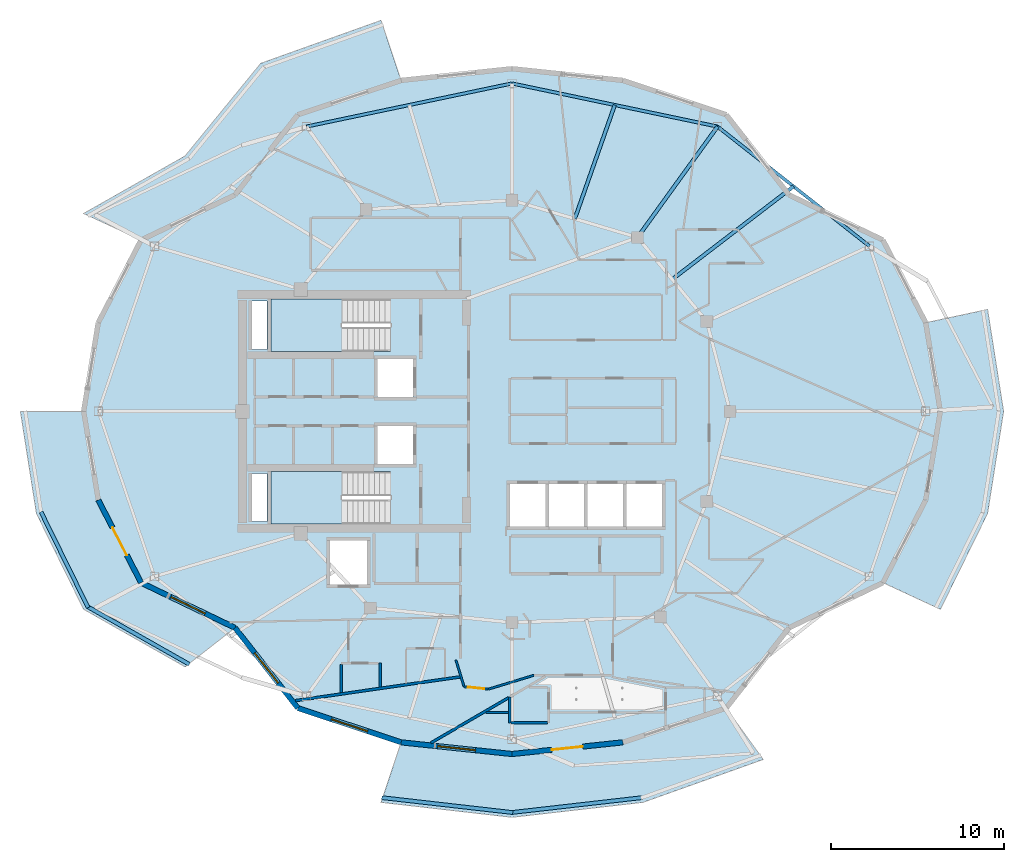
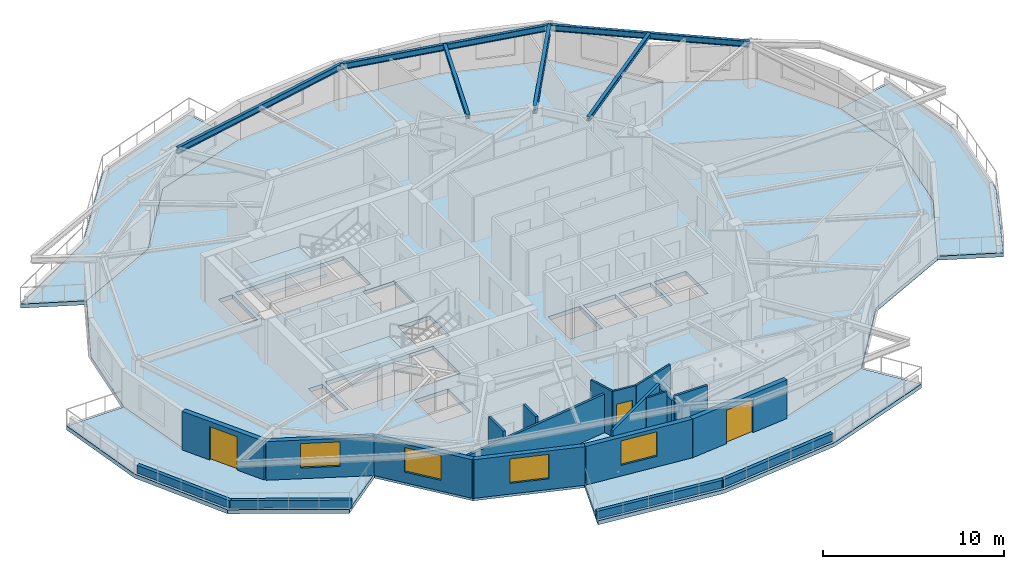
# One storey, part 2 of 18: 20 walls, 7 slabs, 6 beams, 4 windows, 3 doors, 7 openings, 2 elements without a shape of their own.
"""IFC4 building model written with IfcOpenShell, lengths in metres."""

from ifc_helpers import new_model, si_unit, direction, frame, frame_2d, origin, origin_2d, place, context, subcontext, project, spatial, polyline, rectangle, i_section, outline, extrude, material, layer, layer_set, material_profile, profile_set, type_object, element, fill, aggregate, save


model = new_model("IFC4")

# Units and contexts
model_context = context("Model", 3, precision=1e-05, world=origin(), true_north=direction((0.0, 1.0)))
body_context = subcontext(model_context, "Body", "Model", "MODEL_VIEW")
ifc_project = project(units=[si_unit("LENGTHUNIT", "METRE"), si_unit("AREAUNIT", "SQUARE_METRE"), si_unit("VOLUMEUNIT", "CUBIC_METRE"), si_unit("PLANEANGLEUNIT", "RADIAN"), si_unit("MASSUNIT", "GRAM", prefix="KILO")], contexts=[model_context])

# Site, building, storey
site_placement = place(None, origin())
site = spatial("IfcSite", under=ifc_project, at=site_placement, CompositionType="ELEMENT")
building_placement = place(site_placement, origin())
building = spatial("IfcBuilding", under=site, at=building_placement, Name="Kolvaren Gate Tower and Convention Centre", CompositionType="ELEMENT")
storey_placement = place(building_placement, frame((0.0, 0.0, 229.39990234375)))
storey = spatial("IfcBuildingStorey", under=building, at=storey_placement, Name="L61", CompositionType="ELEMENT", Elevation=229.39990234375)

# Beams
ifc_material_1 = material(Name="Structural steel ASTM A992 Grade 345 MPa", Category="steel")
ifc_material_profile_1 = material_profile(ifc_material_1, i_section(OverallWidth=0.2119140625, OverallDepth=0.5439453125, WebThickness=0.01318359375, FlangeThickness=0.021240234375, at=origin_2d()), Name="W530X123")
ifc_profile_set_1 = profile_set([ifc_material_profile_1], Name="Structural steel ASTM A992 Grade 345 MPa")
beam_type_1 = type_object("IfcBeamType", Name="STR-BM-W530X123", PredefinedType="BEAM", material=ifc_profile_set_1)
beam_1_placement = place(storey_placement, frame((37.381591796875, 37.054931640625, 2.758056640625), z_axis=(0.585211694794, 0.810880553643, 0.0), x_axis=(-0.810880553643, 0.585211694794, 0.0)))
element("IfcBeam", 1, at=beam_1_placement, inside=storey, type_object=beam_type_1, Name="Tower L61 Radial Floor Girder RB-03", PredefinedType="BEAM", context=body_context, shape_type="SweptSolid", body=[
    extrude(i_section(OverallWidth=0.2119140625, OverallDepth=0.5439453125, WebThickness=0.01318359375, FlangeThickness=0.021240234375, at=origin_2d()), origin(), (0.0, 0.0, 1.0), 7.896484375),
])
ifc_material_profile_2 = material_profile(ifc_material_1, i_section(OverallWidth=0.202880859375, OverallDepth=0.251953125, WebThickness=0.008056640625, FlangeThickness=0.013427734375, at=origin_2d()), Name="W250X58")
ifc_profile_set_2 = profile_set([ifc_material_profile_2], Name="Structural steel ASTM A992 Grade 345 MPa")
beam_type_2 = type_object("IfcBeamType", Name="STR-JS-W250X58", PredefinedType="JOIST", material=ifc_profile_set_2)
beam_2_placement = place(storey_placement, frame((39.3818359375, 34.627197265625, 2.904052734375), z_axis=(0.793783340844, 0.608200631205, 0.0), x_axis=(-0.608200631205, 0.793783340844, 0.0)))
element("IfcBeam", 2, at=beam_2_placement, inside=storey, type_object=beam_type_2, Name="Tower L61 Secondary Composite Floor Joist J-02.1", PredefinedType="JOIST", context=body_context, shape_type="SweptSolid", body=[
    extrude(i_section(OverallWidth=0.202880859375, OverallDepth=0.251953125, WebThickness=0.008056640625, FlangeThickness=0.013427734375, at=origin_2d()), origin(), (0.0, 0.0, 1.0), 8.835205078125),
])
beam_3_placement = place(storey_placement, frame((33.75341796875, 38.12744140625, 2.904052734375), z_axis=(0.331432911821, 0.943478788824, 0.0), x_axis=(-0.943478788824, 0.331432911821, 0.0)))
element("IfcBeam", 3, at=beam_3_placement, inside=storey, type_object=beam_type_2, Name="Tower L61 Secondary Composite Floor Joist J-03.1", PredefinedType="JOIST", context=body_context, shape_type="SweptSolid", body=[
    extrude(i_section(OverallWidth=0.202880859375, OverallDepth=0.251953125, WebThickness=0.008056640625, FlangeThickness=0.013427734375, at=origin_2d()), origin(), (0.0, 0.0, 1.0), 6.970703125),
])
ifc_material_profile_3 = material_profile(ifc_material_1, i_section(OverallWidth=0.180908203125, OverallDepth=0.4169921875, WebThickness=0.010986328125, FlangeThickness=0.018310546875, at=origin_2d()), Name="W410X85")
ifc_profile_set_3 = profile_set([ifc_material_profile_3], Name="Structural steel ASTM A992 Grade 345 MPa")
beam_type_3 = type_object("IfcBeamType", Name="STR-SP-W410X85", PredefinedType="SPANDREL", material=ifc_profile_set_3)
beam_4_placement = place(storey_placement, frame((50.787353515625, 36.543701171875, 2.821533203125), z_axis=(-0.78579365551, 0.618488747643, 0.0), x_axis=(-0.618488747643, -0.78579365551, 0.0)))
element("IfcBeam", 4, at=beam_4_placement, inside=storey, type_object=beam_type_3, Name="Tower L61 Perimeter Spandrel Beam SP-02", PredefinedType="SPANDREL", context=body_context, shape_type="SweptSolid", body=[
    extrude(i_section(OverallWidth=0.180908203125, OverallDepth=0.4169921875, WebThickness=0.010986328125, FlangeThickness=0.018310546875, at=origin_2d()), origin(), (0.0, 0.0, 1.0), 11.179443359375),
])
for number, where, z_axis, x_axis, name in (
    (5, (42.002685546875, 43.4580078125, 2.821533203125), (-0.978692765917, 0.205330148645, 0.0), (-0.205330148645, -0.978692765917, 0.0), "Tower L61 Perimeter Spandrel Beam SP-03"),
    (6, (30.125, 45.949951171875, 2.821533203125), (-0.978692765917, -0.205330148645, 0.0), (0.205330148645, -0.978692765917, 0.0), "Tower L61 Perimeter Spandrel Beam SP-04"),
):
    element("IfcBeam", number, at=place(storey_placement, frame(where, z_axis=z_axis, x_axis=x_axis)), inside=storey, type_object=beam_type_3, Name=name, PredefinedType="SPANDREL", context=body_context, shape_type="SweptSolid", body=[
        extrude(i_section(OverallWidth=0.180908203125, OverallDepth=0.4169921875, WebThickness=0.010986328125, FlangeThickness=0.018310546875, at=origin_2d()), origin(), (0.0, 0.0, 1.0), 12.13623046875),
    ])

# Slabs
ifc_material_2 = material(Name="Concrete C50/60", Category="concrete")
ifc_layer_1 = layer(ifc_material_2, 0.27001953125)
ifc_layer_set_1 = layer_set([ifc_layer_1], Name="Concrete C50/60")
slab_type_1 = type_object("IfcSlabType", Name="STR-SL-BALC-270", PredefinedType="FLOOR", material=ifc_layer_set_1)
slab_1_placement = place(storey_placement, frame((0.0, 0.0, -0.27001953125)))
element("IfcSlab", 7, at=slab_1_placement, inside=storey, type_object=slab_type_1, Name="Tower L61 Planted Balcony Terrace Slab 1 (North)", PredefinedType="FLOOR", context=body_context, shape_type="SweptSolid", body=[
    extrude(outline(polyline([(23.71923828125, 46.125244140625), (17.75, 44.147216796875), (14.117431640625, 39.50732421875), (8.69091796875, 36.89990234375), (5.3681640625, 38.434814453125), (11.2333984375, 41.7607421875), (15.608154296875, 47.114990234375), (22.556884765625, 49.595703125), (23.71923828125, 46.125244140625)])), origin(), (0.0, 0.0, 1.0), 0.27001953125),
])
slab_2_placement = place(storey_placement, frame((0.0, 0.0, -0.27001953125)))
element("IfcSlab", 8, at=slab_2_placement, inside=storey, type_object=slab_type_1, Name="Tower L61 Planted Balcony Terrace Slab 2 (West)", PredefinedType="FLOOR", context=body_context, shape_type="SweptSolid", body=[
    extrude(outline(polyline([(5.375, 27.0), (6.21826171875, 21.87548828125), (8.69091796875, 17.10009765625), (14.117431640625, 14.49267578125), (11.2333984375, 12.2392578125), (5.3681640625, 15.565185546875), (2.6396484375, 21.1083984375), (1.715087890625, 27.0), (5.375, 27.0)])), origin(), (0.0, 0.0, 1.0), 0.27001953125),
])
slab_3_placement = place(storey_placement, frame((0.0, 0.0, -0.27001953125)))
element("IfcSlab", 9, at=slab_3_placement, inside=storey, type_object=slab_type_1, Name="Tower L61 Planted Balcony Terrace Slab 3 (South)", PredefinedType="FLOOR", context=body_context, shape_type="SweptSolid", body=[
    extrude(outline(polyline([(23.71923828125, 7.874755859375), (30.125, 7.199951171875), (36.53076171875, 7.874755859375), (42.5, 9.852783203125), (44.641845703125, 6.885009765625), (37.693115234375, 4.404296875), (30.125, 3.5400390625), (22.556884765625, 4.404296875), (23.71923828125, 7.874755859375)])), origin(), (0.0, 0.0, 1.0), 0.27001953125),
])
slab_4_placement = place(storey_placement, frame((0.0, 0.0, -0.27001953125)))
element("IfcSlab", 10, at=slab_4_placement, inside=storey, type_object=slab_type_1, Name="Tower L61 Planted Balcony Terrace Slab 4 (East)", PredefinedType="FLOOR", context=body_context, shape_type="SweptSolid", body=[
    extrude(outline(polyline([(51.55908203125, 17.10009765625), (54.03173828125, 21.87548828125), (54.875, 27.0), (54.03173828125, 32.12451171875), (57.6103515625, 32.8916015625), (58.534912109375, 27.0), (57.6103515625, 21.1083984375), (54.8818359375, 15.565185546875), (51.55908203125, 17.10009765625)])), origin(), (0.0, 0.0, 1.0), 0.27001953125),
])
ifc_material_3 = material(Name="Concrete C40/50", Category="concrete")
ifc_layer_2 = layer(ifc_material_3, 0.27001953125)
ifc_layer_set_2 = layer_set([ifc_layer_2], Name="Concrete C40/50")
slab_type_2 = type_object("IfcSlabType", Name="STR-SL-FLR-270", PredefinedType="FLOOR", material=ifc_layer_set_2)
slab_5_placement = place(storey_placement, frame((0.0, 0.0, -0.27001953125)))
element("IfcSlab", 11, at=slab_5_placement, inside=storey, type_object=slab_type_2, Name="Tower L61 Structural Floor Slab", PredefinedType="FLOOR", context=body_context, shape_type="SweptSolid", body=[
    extrude(outline(polyline([(54.875, 27.0), (54.03173828125, 32.12451171875), (51.55908203125, 36.89990234375), (46.132568359375, 39.50732421875), (42.5, 44.147216796875), (36.53076171875, 46.125244140625), (30.125, 46.800048828125), (23.71923828125, 46.125244140625), (17.75, 44.147216796875), (14.117431640625, 39.50732421875), (8.69091796875, 36.89990234375), (6.21826171875, 32.12451171875), (5.375, 27.0), (6.21826171875, 21.87548828125), (8.69091796875, 17.10009765625), (14.117431640625, 14.49267578125), (17.75, 9.852783203125), (23.71923828125, 7.874755859375), (30.125, 7.199951171875), (36.53076171875, 7.874755859375), (42.5, 9.852783203125), (46.132568359375, 14.49267578125), (51.55908203125, 17.10009765625), (54.03173828125, 21.87548828125), (54.875, 27.0)]), holes=[polyline([(36.75, 20.35009765625), (36.75, 22.800048828125), (38.800048828125, 22.800048828125), (38.800048828125, 20.35009765625), (36.75, 20.35009765625)]), polyline([(36.550048828125, 20.35009765625), (34.5, 20.35009765625), (34.5, 22.800048828125), (36.550048828125, 22.800048828125), (36.550048828125, 20.35009765625)]), polyline([(32.25, 20.35009765625), (32.25, 22.800048828125), (34.300048828125, 22.800048828125), (34.300048828125, 20.35009765625), (32.25, 20.35009765625)]), polyline([(30.0, 20.35009765625), (30.0, 22.800048828125), (32.050048828125, 22.800048828125), (32.050048828125, 20.35009765625), (30.0, 20.35009765625)]), polyline([(22.35009765625, 23.9599609375), (22.35009765625, 26.159912109375), (24.39990234375, 26.159912109375), (24.39990234375, 23.9599609375), (22.35009765625, 23.9599609375)]), polyline([(22.35009765625, 27.840087890625), (22.35009765625, 30.0400390625), (24.39990234375, 30.0400390625), (24.39990234375, 27.840087890625), (22.35009765625, 27.840087890625)]), polyline([(16.199951171875, 23.5400390625), (23.10009765625, 23.5400390625), (23.10009765625, 20.5), (16.199951171875, 20.5), (16.199951171875, 23.5400390625)]), polyline([(16.199951171875, 33.5), (23.10009765625, 33.5), (23.10009765625, 30.4599609375), (16.199951171875, 30.4599609375), (16.199951171875, 33.5)]), polyline([(21.75, 17.0), (19.60009765625, 17.0), (19.60009765625, 19.550048828125), (21.75, 19.550048828125), (21.75, 17.0)]), polyline([(15.080078125, 30.580078125), (15.080078125, 33.3701171875), (15.969970703125, 33.3701171875), (15.969970703125, 30.580078125), (15.080078125, 30.580078125)]), polyline([(15.969970703125, 20.6298828125), (15.080078125, 20.6298828125), (15.080078125, 23.419921875), (15.969970703125, 23.419921875), (15.969970703125, 20.6298828125)])]), origin(), (0.0, 0.0, 1.0), 0.27001953125),
])

# Stair, slab
stair_type = type_object("IfcStairType", Name="STR-STAIR-CORE", PredefinedType="HALF_TURN_STAIR", material=ifc_material_2)
stair_1_placement = place(storey_placement, origin())
stair_1 = element("IfcStair", 12, at=stair_1_placement, inside=storey, type_object=stair_type, Name="L61 Tower North Exit Stair ST-T1", PredefinedType="HALF_TURN_STAIR")
ifc_layer_3 = layer(ifc_material_2, 0.199951171875)
ifc_layer_set_3 = layer_set([ifc_layer_3], Name="Concrete C50/60")
slab_type_3 = type_object("IfcSlabType", Name="STR-SL-LAND-200", PredefinedType="LANDING", material=ifc_layer_set_3)
slab_6_placement = place(storey_placement, frame((0.0, 0.0, 1.4501953125)))
slab_6 = element("IfcSlab", 13, at=slab_6_placement, type_object=slab_type_3, Name="ST-T1 landing 1", PredefinedType="LANDING", context=body_context, shape_type="SweptSolid", body=[
    extrude(outline(polyline([(20.31005859375, 33.5), (16.199951171875, 33.5), (16.199951171875, 30.4599609375), (20.31005859375, 30.4599609375), (20.31005859375, 33.5)])), origin(), (0.0, 0.0, 1.0), 0.199951171875),
])
aggregate(stair_1, [slab_6])

stair_2_placement = place(storey_placement, origin())
stair_2 = element("IfcStair", 14, at=stair_2_placement, inside=storey, type_object=stair_type, Name="L61 Tower South Exit Stair ST-T2", PredefinedType="HALF_TURN_STAIR")
slab_7_placement = place(storey_placement, frame((0.0, 0.0, 1.4501953125)))
slab_7 = element("IfcSlab", 15, at=slab_7_placement, type_object=slab_type_3, Name="ST-T2 landing 1", PredefinedType="LANDING", context=body_context, shape_type="SweptSolid", body=[
    extrude(outline(polyline([(20.31005859375, 23.5400390625), (16.199951171875, 23.5400390625), (16.199951171875, 20.5), (20.31005859375, 20.5), (20.31005859375, 23.5400390625)])), origin(), (0.0, 0.0, 1.0), 0.199951171875),
])
aggregate(stair_2, [slab_7])

# Wall
ifc_material_4 = material(Name="Fire-Rated Acoustic Gypsum Stud Partition", Category="gypsum")
ifc_layer_4 = layer(ifc_material_4, 0.1201171875)
ifc_layer_set_4 = layer_set([ifc_layer_4], Name="Fire-Rated Acoustic Gypsum Stud Partition")
wall_type_1 = type_object("IfcWallType", Name="ARCH-WL-PART-120", PredefinedType="PARTITIONING", material=ifc_layer_set_4)
wall_1_placement = place(storey_placement, frame((28.751953125, 10.944091796875, 0.0), z_axis=(0.0, 0.0, 1.0), x_axis=(0.956462690075, 0.291854625618, 0.0)))
element("IfcWall", 16, at=wall_1_placement, inside=storey, type_object=wall_type_1, Name="Interior Partition WL-L61-INT-069", PredefinedType="PARTITIONING", context=body_context, shape_type="SweptSolid", body=[
    extrude(rectangle(XDim=2.76123046875, YDim=0.1201171875, at=frame_2d((1.380615234375, 0.0))), origin(), (0.0, 0.0, 1.0), 3.030029296875),
])

# Wall, opening, door
wall_2_placement = place(storey_placement, frame((27.35498046875, 11.092041015625, 0.0), z_axis=(0.0, 0.0, 1.0), x_axis=(0.994438591301, -0.105318033263, 0.0)))
wall_2 = element("IfcWall", 17, at=wall_2_placement, inside=storey, type_object=wall_type_1, Name="Interior Partition WL-L61-INT-070", PredefinedType="PARTITIONING", context=body_context, shape_type="SweptSolid", body=[
    extrude(rectangle(XDim=1.40478515625, YDim=0.1201171875, at=frame_2d((0.702392578125, 0.0))), origin(), (0.0, 0.0, 1.0), 3.030029296875),
])
opening_1_placement = place(wall_2_placement, frame((0.227294921875, 0.0, 0.0)))
opening_1 = element("IfcOpeningElement", 18, at=opening_1_placement, cuts=wall_2, Name="Opening DR-01", PredefinedType="OPENING", context=body_context, shape_type="SweptSolid", body=[
    extrude(rectangle(XDim=0.949951171875, YDim=2.10009765625, at=frame_2d((0.47509765625, 1.050048828125))), frame((0.0, 0.070068359375, 0.0), z_axis=(0.0, -1.0, 0.0), x_axis=(1.0, 0.0, 0.0)), (0.0, 0.0, 1.0), 0.14013671875),
])
ifc_material_5 = material(Name="Painted Architectural Steelwork ASTM A500 Grade C 345 MPa", Category="steel")
door_type_1 = type_object("IfcDoorType", Name="ARCH-DR-RISER-950", OperationType="SINGLE_SWING_RIGHT", PredefinedType="DOOR", material=ifc_material_5)
door_1_placement = place(opening_1_placement, origin())
door_1 = element("IfcDoor", 19, at=door_1_placement, inside=storey, type_object=door_type_1, Name="Resident Committee Meeting Room Door", OperationType="SINGLE_SWING_LEFT", OverallHeight=2.10009765625, OverallWidth=0.949951171875, PredefinedType="DOOR", context=body_context, shape_type="SweptSolid", body=[
    extrude(rectangle(XDim=0.949951171875, YDim=2.10009765625, at=frame_2d((0.47509765625, 1.050048828125))), frame((0.0, 0.02490234375, 0.0), z_axis=(0.0, -1.0, 0.0), x_axis=(1.0, 0.0, 0.0)), (0.0, 0.0, 1.0), 0.050048828125),
])
fill(opening_1, door_1)

# Walls
wall_3_placement = place(storey_placement, frame((26.885009765625, 12.633056640625, 0.0), z_axis=(0.0, 0.0, 1.0), x_axis=(0.291710302586, -0.956506716843, 0.0)))
element("IfcWall", 20, at=wall_3_placement, inside=storey, type_object=wall_type_1, Name="Interior Partition WL-L61-INT-071", PredefinedType="PARTITIONING", context=body_context, shape_type="SweptSolid", body=[
    extrude(rectangle(XDim=1.611083984375, YDim=0.1201171875, at=frame_2d((0.8056640625, 0.0))), origin(), (0.0, 0.0, 1.0), 3.030029296875),
])
wall_4_placement = place(storey_placement, frame((28.622802734375, 9.60498046875, 0.0), z_axis=(0.0, 0.0, 1.0), x_axis=(1.0, 0.0, 0.0)))
element("IfcWall", 21, at=wall_4_placement, inside=storey, type_object=wall_type_1, Name="Interior Partition WL-L61-INT-093", PredefinedType="PARTITIONING", context=body_context, shape_type="SweptSolid", body=[
    extrude(rectangle(XDim=1.30029296875, YDim=0.1201171875, at=frame_2d((0.650146484375, 0.0))), origin(), (0.0, 0.0, 1.0), 3.030029296875),
])
ifc_material_6 = material(Name="Piedmont Cream Honed Limestone Cladding", Category="masonry")
ifc_layer_5 = layer(ifc_material_6, 0.219970703125)
ifc_layer_set_5 = layer_set([ifc_layer_5], Name="Piedmont Cream Honed Limestone Cladding")
wall_type_2 = type_object("IfcWallType", Name="ARCH-WL-PLANTER-220", PredefinedType="PARAPET", material=ifc_layer_set_5)
wall_5_placement = place(storey_placement, frame((2.905517578125, 21.1962890625, 0.0), z_axis=(0.0, 0.0, 1.0), x_axis=(0.441640961804, -0.897191875162, 0.0)))
element("IfcWall", 22, at=wall_5_placement, inside=storey, type_object=wall_type_2, Name="Vertical-Forest Balcony Stone Planter Kerb PK-L61-2.2", PredefinedType="PARAPET", context=body_context, shape_type="SweptSolid", body=[
    extrude(rectangle(XDim=6.17822265625, YDim=0.219970703125, at=frame_2d((3.089111328125, 0.0))), origin(), (0.0, 0.0, 1.0), 0.52001953125),
])
wall_6_placement = place(storey_placement, frame((5.6083984375, 15.70947265625, 0.0), z_axis=(0.0, 0.0, 1.0), x_axis=(0.869860619267, -0.493297580623, 0.0)))
element("IfcWall", 23, at=wall_6_placement, inside=storey, type_object=wall_type_2, Name="Vertical-Forest Balcony Stone Planter Kerb PK-L61-2.3", PredefinedType="PARAPET", context=body_context, shape_type="SweptSolid", body=[
    extrude(rectangle(XDim=6.74267578125, YDim=0.219970703125, at=frame_2d((3.371337890625, 0.0))), origin(), (0.0, 0.0, 1.0), 0.52001953125),
])
for number, where, z_axis, x_axis, name in (
    (24, (22.602294921875, 4.680419921875, 0.0), (0.0, 0.0, 1.0), (0.993546198781, -0.113428175021, 0.0), "Vertical-Forest Balcony Stone Planter Kerb PK-L61-3.1"),
    (25, (30.07958984375, 3.81640625, 0.0), (0.0, 0.0, 1.0), (0.993546198781, 0.113428175021, 0.0), "Vertical-Forest Balcony Stone Planter Kerb PK-L61-3.2"),
):
    element("IfcWall", number, at=place(storey_placement, frame(where, z_axis=z_axis, x_axis=x_axis)), inside=storey, type_object=wall_type_2, Name=name, PredefinedType="PARAPET", context=body_context, shape_type="SweptSolid", body=[
        extrude(rectangle(XDim=7.6171875, YDim=0.219970703125, at=frame_2d((3.80859375, 0.0))), origin(), (0.0, 0.0, 1.0), 0.52001953125),
    ])

# Wall, opening, door
ifc_layer_6 = layer(ifc_material_6, 0.300048828125)
ifc_layer_set_6 = layer_set([ifc_layer_6], Name="Piedmont Cream Honed Limestone Cladding")
wall_type_3 = type_object("IfcWallType", Name="ARCH-WL-STONE-300", PredefinedType="SOLIDWALL", material=ifc_layer_set_6)
wall_7_placement = place(storey_placement, frame((6.21826171875, 21.87548828125, 0.0), z_axis=(0.0, 0.0, 1.0), x_axis=(0.459808219482, -0.888018243786, 0.0)))
wall_7 = element("IfcWall", 26, at=wall_7_placement, inside=storey, type_object=wall_type_3, Name="Tower L61 Honed Stone Spandrel Wall EW-13", PredefinedType="SOLIDWALL", context=body_context, shape_type="SweptSolid", body=[
    extrude(rectangle(XDim=5.377685546875, YDim=0.300048828125, at=frame_2d((2.68896484375, 0.0))), origin(), (0.0, 0.0, 1.0), 2.60498046875),
])
opening_2_placement = place(wall_7_placement, frame((1.7890625, 0.0, 0.0)))
opening_2 = element("IfcOpeningElement", 27, at=opening_2_placement, cuts=wall_7, Name="Opening DB-01", PredefinedType="OPENING", context=body_context, shape_type="SweptSolid", body=[
    extrude(rectangle(XDim=1.800048828125, YDim=2.25, at=frame_2d((0.89990234375, 1.125))), frame((0.0, 0.159912109375, 0.0), z_axis=(0.0, -1.0, 0.0), x_axis=(1.0, 0.0, 0.0)), (0.0, 0.0, 1.0), 0.320068359375),
])
ifc_material_7 = material(Name="Anodized Architectural Aluminium Alloy 6063-T6", Category="aluminium")
door_type_2 = type_object("IfcDoorType", Name="ARCH-DR-BALC-1800", OperationType="SLIDING_TO_LEFT", PredefinedType="DOOR", material=ifc_material_7)
door_2_placement = place(opening_2_placement, frame((1.800048828125, 0.0, 0.0), z_axis=(0.0, 0.0, 1.0), x_axis=(-1.0, 0.0, 0.0)))
door_2 = element("IfcDoor", 28, at=door_2_placement, inside=storey, type_object=door_type_2, Name="Planted Sky Terrace Access Door DB-L61-13", OperationType="SLIDING_TO_LEFT", OverallHeight=2.25, OverallWidth=1.800048828125, PredefinedType="DOOR", context=body_context, shape_type="SweptSolid", body=[
    extrude(rectangle(XDim=1.800048828125, YDim=2.25, at=frame_2d((0.89990234375, 1.125))), frame((0.0, 0.02490234375, 0.0), z_axis=(0.0, -1.0, 0.0), x_axis=(1.0, 0.0, 0.0)), (0.0, 0.0, 1.0), 0.050048828125),
])
fill(opening_2, door_2)

# Wall, opening, window
wall_8_placement = place(storey_placement, frame((8.69091796875, 17.10009765625, 0.0), z_axis=(0.0, 0.0, 1.0), x_axis=(0.901348331142, -0.433094892545, 0.0)))
wall_8 = element("IfcWall", 29, at=wall_8_placement, inside=storey, type_object=wall_type_3, Name="Tower L61 Honed Stone Spandrel Wall EW-14", PredefinedType="SOLIDWALL", context=body_context, shape_type="SweptSolid", body=[
    extrude(rectangle(XDim=6.0205078125, YDim=0.300048828125, at=frame_2d((3.01025390625, 0.0))), origin(), (0.0, 0.0, 1.0), 2.60498046875),
])
opening_3_placement = place(wall_8_placement, frame((1.909912109375, 0.0, 0.719970703125)))
opening_3 = element("IfcOpeningElement", 30, at=opening_3_placement, cuts=wall_8, Name="Opening W-03", PredefinedType="OPENING", context=body_context, shape_type="SweptSolid", body=[
    extrude(rectangle(XDim=2.199951171875, YDim=1.64990234375, at=frame_2d((1.10009765625, 0.824951171875))), frame((0.0, 0.159912109375, 0.0), z_axis=(0.0, -1.0, 0.0), x_axis=(1.0, 0.0, 0.0)), (0.0, 0.0, 1.0), 0.320068359375),
])
ifc_material_8 = material(Name="Low-E Triple Insulated Glazing Unit 44 mm", Category="glass")
window_type = type_object("IfcWindowType", Name="ARCH-WN-RES-2200", PartitioningType="SINGLE_PANEL", PredefinedType="WINDOW", material=ifc_material_8)
window_1_placement = place(opening_3_placement, origin())
window_1 = element("IfcWindow", 31, at=window_1_placement, inside=storey, type_object=window_type, Name="Tower L61 Punched Stone Facade Window W-14", OverallHeight=1.64990234375, OverallWidth=2.199951171875, PartitioningType="SINGLE_PANEL", PredefinedType="WINDOW", context=body_context, shape_type="SweptSolid", body=[
    extrude(rectangle(XDim=2.199951171875, YDim=1.64990234375, at=frame_2d((1.10009765625, 0.824951171875))), frame((0.0, 0.030029296875, 0.0), z_axis=(0.0, -1.0, 0.0), x_axis=(1.0, 0.0, 0.0)), (0.0, 0.0, 1.0), 0.06005859375),
])
fill(opening_3, window_1)

wall_9_placement = place(storey_placement, frame((14.117431640625, 14.49267578125, 0.0), z_axis=(0.0, 0.0, 1.0), x_axis=(0.616450126935, -0.787393955401, 0.0)))
wall_9 = element("IfcWall", 32, at=wall_9_placement, inside=storey, type_object=wall_type_3, Name="Tower L61 Honed Stone Spandrel Wall EW-15", PredefinedType="SOLIDWALL", context=body_context, shape_type="SweptSolid", body=[
    extrude(rectangle(XDim=5.892822265625, YDim=0.300048828125, at=frame_2d((2.9462890625, 0.0))), origin(), (0.0, 0.0, 1.0), 2.60498046875),
])
opening_4_placement = place(wall_9_placement, frame((1.845947265625, 0.0, 0.719970703125)))
opening_4 = element("IfcOpeningElement", 33, at=opening_4_placement, cuts=wall_9, Name="Opening W-03", PredefinedType="OPENING", context=body_context, shape_type="SweptSolid", body=[
    extrude(rectangle(XDim=2.199951171875, YDim=1.64990234375, at=frame_2d((1.10009765625, 0.824951171875))), frame((0.0, 0.159912109375, 0.0), z_axis=(0.0, -1.0, 0.0), x_axis=(1.0, 0.0, 0.0)), (0.0, 0.0, 1.0), 0.320068359375),
])
window_2_placement = place(opening_4_placement, origin())
window_2 = element("IfcWindow", 34, at=window_2_placement, inside=storey, type_object=window_type, Name="Tower L61 Punched Stone Facade Window W-15", OverallHeight=1.64990234375, OverallWidth=2.199951171875, PartitioningType="SINGLE_PANEL", PredefinedType="WINDOW", context=body_context, shape_type="SweptSolid", body=[
    extrude(rectangle(XDim=2.199951171875, YDim=1.64990234375, at=frame_2d((1.10009765625, 0.824951171875))), frame((0.0, 0.030029296875, 0.0), z_axis=(0.0, -1.0, 0.0), x_axis=(1.0, 0.0, 0.0)), (0.0, 0.0, 1.0), 0.06005859375),
])
fill(opening_4, window_2)

wall_10_placement = place(storey_placement, frame((17.75, 9.852783203125, 0.0), z_axis=(0.0, 0.0, 1.0), x_axis=(0.949240877604, -0.314550085495, 0.0)))
wall_10 = element("IfcWall", 35, at=wall_10_placement, inside=storey, type_object=wall_type_3, Name="Tower L61 Honed Stone Spandrel Wall EW-16", PredefinedType="SOLIDWALL", context=body_context, shape_type="SweptSolid", body=[
    extrude(rectangle(XDim=6.288330078125, YDim=0.300048828125, at=frame_2d((3.14404296875, 0.0))), origin(), (0.0, 0.0, 1.0), 2.60498046875),
])
opening_5_placement = place(wall_10_placement, frame((2.0439453125, 0.0, 0.719970703125)))
opening_5 = element("IfcOpeningElement", 36, at=opening_5_placement, cuts=wall_10, Name="Opening W-03", PredefinedType="OPENING", context=body_context, shape_type="SweptSolid", body=[
    extrude(rectangle(XDim=2.199951171875, YDim=1.64990234375, at=frame_2d((1.10009765625, 0.824951171875))), frame((0.0, 0.159912109375, 0.0), z_axis=(0.0, -1.0, 0.0), x_axis=(1.0, 0.0, 0.0)), (0.0, 0.0, 1.0), 0.320068359375),
])
window_3_placement = place(opening_5_placement, origin())
window_3 = element("IfcWindow", 37, at=window_3_placement, inside=storey, type_object=window_type, Name="Tower L61 Punched Stone Facade Window W-16", OverallHeight=1.64990234375, OverallWidth=2.199951171875, PartitioningType="SINGLE_PANEL", PredefinedType="WINDOW", context=body_context, shape_type="SweptSolid", body=[
    extrude(rectangle(XDim=2.199951171875, YDim=1.64990234375, at=frame_2d((1.10009765625, 0.824951171875))), frame((0.0, 0.030029296875, 0.0), z_axis=(0.0, -1.0, 0.0), x_axis=(1.0, 0.0, 0.0)), (0.0, 0.0, 1.0), 0.06005859375),
])
fill(opening_5, window_3)

wall_11_placement = place(storey_placement, frame((23.71923828125, 7.874755859375, 0.0), z_axis=(0.0, 0.0, 1.0), x_axis=(0.994497142298, -0.104763705363, 0.0)))
wall_11 = element("IfcWall", 38, at=wall_11_placement, inside=storey, type_object=wall_type_3, Name="Tower L61 Honed Stone Spandrel Wall EW-17", PredefinedType="SOLIDWALL", context=body_context, shape_type="SweptSolid", body=[
    extrude(rectangle(XDim=6.441162109375, YDim=0.300048828125, at=frame_2d((3.220703125, 0.0))), origin(), (0.0, 0.0, 1.0), 2.60498046875),
])
opening_6_placement = place(wall_11_placement, frame((2.12109375, 0.0, 0.719970703125)))
opening_6 = element("IfcOpeningElement", 39, at=opening_6_placement, cuts=wall_11, Name="Opening W-03", PredefinedType="OPENING", context=body_context, shape_type="SweptSolid", body=[
    extrude(rectangle(XDim=2.199951171875, YDim=1.64990234375, at=frame_2d((1.10009765625, 0.824951171875))), frame((0.0, 0.159912109375, 0.0), z_axis=(0.0, -1.0, 0.0), x_axis=(1.0, 0.0, 0.0)), (0.0, 0.0, 1.0), 0.320068359375),
])
window_4_placement = place(opening_6_placement, origin())
window_4 = element("IfcWindow", 40, at=window_4_placement, inside=storey, type_object=window_type, Name="Tower L61 Punched Stone Facade Window W-17", OverallHeight=1.64990234375, OverallWidth=2.199951171875, PartitioningType="SINGLE_PANEL", PredefinedType="WINDOW", context=body_context, shape_type="SweptSolid", body=[
    extrude(rectangle(XDim=2.199951171875, YDim=1.64990234375, at=frame_2d((1.10009765625, 0.824951171875))), frame((0.0, 0.030029296875, 0.0), z_axis=(0.0, -1.0, 0.0), x_axis=(1.0, 0.0, 0.0)), (0.0, 0.0, 1.0), 0.06005859375),
])
fill(opening_6, window_4)

# Wall, opening, door
wall_12_placement = place(storey_placement, frame((30.125, 7.199951171875, 0.0), z_axis=(0.0, 0.0, 1.0), x_axis=(0.994497142298, 0.104763705363, 0.0)))
wall_12 = element("IfcWall", 41, at=wall_12_placement, inside=storey, type_object=wall_type_3, Name="Tower L61 Honed Stone Spandrel Wall EW-18", PredefinedType="SOLIDWALL", context=body_context, shape_type="SweptSolid", body=[
    extrude(rectangle(XDim=6.441162109375, YDim=0.300048828125, at=frame_2d((3.220703125, 0.0))), origin(), (0.0, 0.0, 1.0), 2.60498046875),
])
opening_7_placement = place(wall_12_placement, frame((2.321044921875, 0.0, 0.0)))
opening_7 = element("IfcOpeningElement", 42, at=opening_7_placement, cuts=wall_12, Name="Opening DB-01", PredefinedType="OPENING", context=body_context, shape_type="SweptSolid", body=[
    extrude(rectangle(XDim=1.800048828125, YDim=2.25, at=frame_2d((0.89990234375, 1.125))), frame((0.0, 0.159912109375, 0.0), z_axis=(0.0, -1.0, 0.0), x_axis=(1.0, 0.0, 0.0)), (0.0, 0.0, 1.0), 0.320068359375),
])
door_3_placement = place(opening_7_placement, frame((1.800048828125, 0.0, 0.0), z_axis=(0.0, 0.0, 1.0), x_axis=(-1.0, 0.0, 0.0)))
door_3 = element("IfcDoor", 43, at=door_3_placement, inside=storey, type_object=door_type_2, Name="Planted Sky Terrace Access Door DB-L61-18", OperationType="SLIDING_TO_LEFT", OverallHeight=2.25, OverallWidth=1.800048828125, PredefinedType="DOOR", context=body_context, shape_type="SweptSolid", body=[
    extrude(rectangle(XDim=1.800048828125, YDim=2.25, at=frame_2d((0.89990234375, 1.125))), frame((0.0, 0.02490234375, 0.0), z_axis=(0.0, -1.0, 0.0), x_axis=(1.0, 0.0, 0.0)), (0.0, 0.0, 1.0), 0.050048828125),
])
fill(opening_7, door_3)

# Walls
ifc_material_9 = material(Name="Moisture-Resistant Cement-Board Acoustic Partition", Category="gypsum")
ifc_layer_7 = layer(ifc_material_9, 0.14990234375)
ifc_layer_set_7 = layer_set([ifc_layer_7], Name="Moisture-Resistant Cement-Board Acoustic Partition")
wall_type_4 = type_object("IfcWallType", Name="ARCH-WL-WET-150", PredefinedType="PARTITIONING", material=ifc_layer_set_7)
wall_13_placement = place(storey_placement, frame((30.0, 9.0, 0.0), z_axis=(0.0, 0.0, 1.0), x_axis=(0.0, 1.0, 0.0)))
element("IfcWall", 44, at=wall_13_placement, inside=storey, type_object=wall_type_4, Name="Interior Partition WL-L61-INT-017", PredefinedType="PARTITIONING", context=body_context, shape_type="SweptSolid", body=[
    extrude(rectangle(XDim=1.49609375, YDim=0.14990234375, at=frame_2d((0.748046875, 0.0))), origin(), (0.0, 0.0, 1.0), 2.77001953125),
])
wall_14_placement = place(storey_placement, frame((17.604248046875, 10.285400390625, 0.0), z_axis=(0.0, 0.0, 1.0), x_axis=(0.989781675617, 0.142591144933, 0.0)))
element("IfcWall", 45, at=wall_14_placement, inside=storey, type_object=wall_type_4, Name="Interior Partition WL-L61-INT-077", PredefinedType="PARTITIONING", context=body_context, shape_type="SweptSolid", body=[
    extrude(rectangle(XDim=9.612060546875, YDim=0.14990234375, at=frame_2d((4.80615234375, 0.0))), origin(), (0.0, 0.0, 1.0), 2.60498046875),
])
wall_15_placement = place(storey_placement, frame((22.5, 11.068603515625, 0.0), z_axis=(0.0, 0.0, 1.0), x_axis=(0.0, 1.0, 0.0)))
element("IfcWall", 46, at=wall_15_placement, inside=storey, type_object=wall_type_4, Name="Interior Partition WL-L61-INT-081", PredefinedType="PARTITIONING", context=body_context, shape_type="SweptSolid", body=[
    extrude(rectangle(XDim=1.38037109375, YDim=0.14990234375, at=frame_2d((0.690185546875, 0.0))), origin(), (0.0, 0.0, 1.0), 3.030029296875),
])
wall_16_placement = place(storey_placement, frame((20.25, 10.744384765625, 0.0), z_axis=(0.0, 0.0, 1.0), x_axis=(0.0, 1.0, 0.0)))
element("IfcWall", 47, at=wall_16_placement, inside=storey, type_object=wall_type_4, Name="Interior Partition WL-L61-INT-084", PredefinedType="PARTITIONING", context=body_context, shape_type="SweptSolid", body=[
    extrude(rectangle(XDim=1.627685546875, YDim=0.14990234375, at=frame_2d((0.81396484375, 0.0))), origin(), (0.0, 0.0, 1.0), 3.030029296875),
])
wall_17_placement = place(storey_placement, frame((25.44677734375, 7.845703125, 0.0), z_axis=(0.0, 0.0, 1.0), x_axis=(0.864279409289, 0.503012030353, 0.0)))
element("IfcWall", 48, at=wall_17_placement, inside=storey, type_object=wall_type_4, Name="Interior Partition WL-L61-INT-085", PredefinedType="PARTITIONING", context=body_context, shape_type="SweptSolid", body=[
    extrude(rectangle(XDim=5.17919921875, YDim=0.14990234375, at=frame_2d((2.589599609375, 0.0))), origin(), (0.0, 0.0, 1.0), 3.030029296875),
])
wall_18_placement = place(storey_placement, frame((30.076904296875, 9.0, 0.0), z_axis=(0.0, 0.0, 1.0), x_axis=(1.0, 0.0, 0.0)))
element("IfcWall", 49, at=wall_18_placement, inside=storey, type_object=wall_type_4, Name="Interior Partition WL-L61-INT-097", PredefinedType="PARTITIONING", context=body_context, shape_type="SweptSolid", body=[
    extrude(rectangle(XDim=2.09619140625, YDim=0.14990234375, at=frame_2d((1.048095703125, 0.0))), origin(), (0.0, 0.0, 1.0), 3.030029296875),
])

save(model, "model.ifc")
